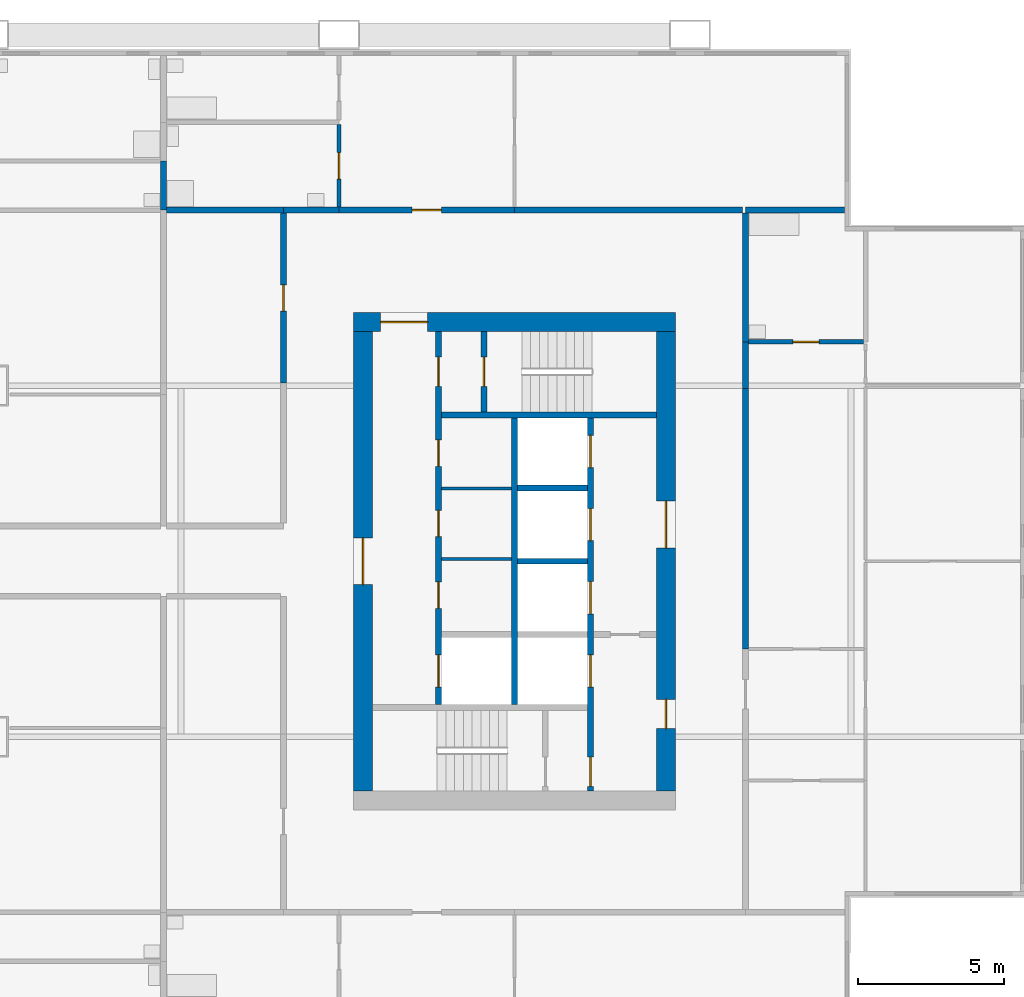
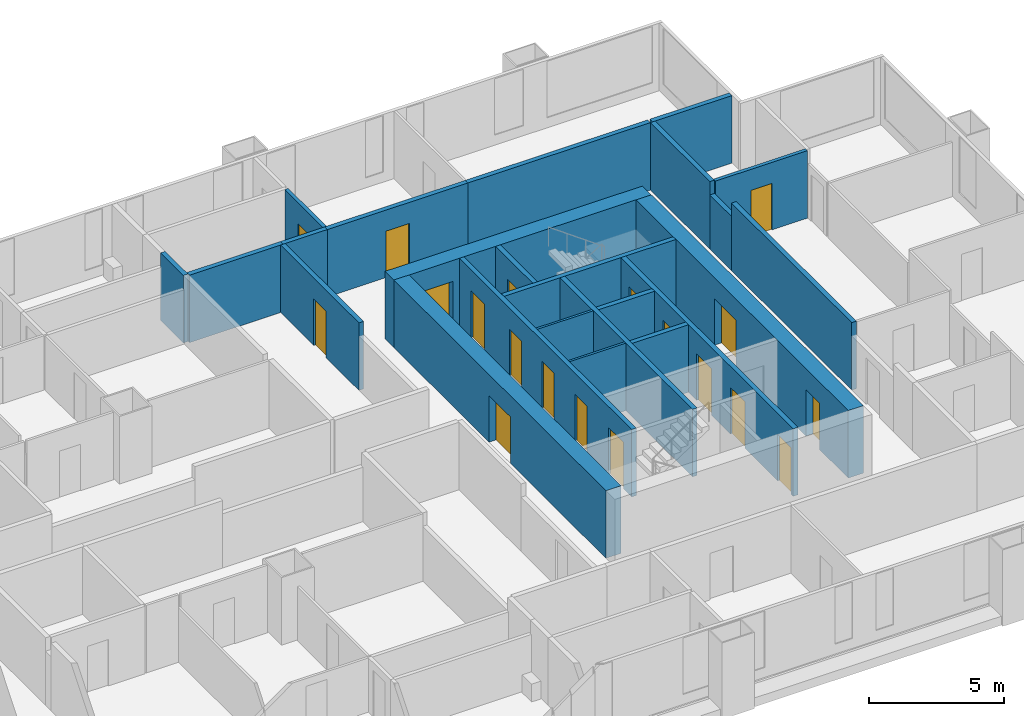
# One storey, part 7 of 11: 24 walls, 19 doors, 19 openings.
"""IFC4 building model written with IfcOpenShell, lengths in metres."""

from ifc_helpers import new_model, si_unit, direction, frame, frame_2d, origin, place, context, subcontext, project, spatial, rectangle, extrude, material, layer, layer_set, type_object, element, fill, save


model = new_model("IFC4")

# Units and contexts
model_context = context("Model", 3, precision=1e-05, world=origin(), true_north=direction((0.0, 1.0)))
body_context = subcontext(model_context, "Body", "Model", "MODEL_VIEW")
ifc_project = project(units=[si_unit("LENGTHUNIT", "METRE"), si_unit("AREAUNIT", "SQUARE_METRE"), si_unit("VOLUMEUNIT", "CUBIC_METRE"), si_unit("PLANEANGLEUNIT", "RADIAN"), si_unit("MASSUNIT", "GRAM", prefix="KILO")], contexts=[model_context])

# Site, building, storey
site_placement = place(None, origin())
site = spatial("IfcSite", under=ifc_project, at=site_placement, CompositionType="ELEMENT")
building_placement = place(site_placement, origin())
building = spatial("IfcBuilding", under=site, at=building_placement, Name="Kitamizu Gate Tower and Museum", CompositionType="ELEMENT")
storey_placement = place(building_placement, frame((0.0, 0.0, 124.199951171875)))
storey = spatial("IfcBuildingStorey", under=building, at=storey_placement, Name="L32", CompositionType="ELEMENT", Elevation=124.199951171875)

# Wall, opening, door
ifc_material_1 = material(Name="Concrete Fc60", Category="concrete")
ifc_layer_1 = layer(ifc_material_1, 0.64990234375)
ifc_layer_set_1 = layer_set([ifc_layer_1], Name="Concrete Fc60")
wall_type_1 = type_object("IfcWallType", Name="Core wall 650", PredefinedType="SHEAR", material=ifc_layer_set_1)
wall_1_placement = place(storey_placement, frame((59.5, 38.175048828125, 0.0), z_axis=(0.0, 0.0, 1.0), x_axis=(-1.0, 0.0, 0.0)))
wall_1 = element("IfcWall", 1, at=wall_1_placement, inside=storey, type_object=wall_type_1, Name="Core wall EN", PredefinedType="SHEAR", context=body_context, shape_type="SweptSolid", body=[
    extrude(rectangle(XDim=11.0, YDim=0.64990234375, at=frame_2d((5.5, 0.0))), origin(), (0.0, 0.0, 1.0), 3.050048828125),
])
opening_1_placement = place(wall_1_placement, frame((8.47509765625, 0.0, 0.0)))
opening_1 = element("IfcOpeningElement", 2, at=opening_1_placement, cuts=wall_1, Name="Opening L32-067", PredefinedType="OPENING", context=body_context, shape_type="SweptSolid", body=[
    extrude(rectangle(XDim=1.60009765625, YDim=2.10009765625, at=frame_2d((0.800048828125, 1.050048828125))), frame((0.0, 0.3349609375, 0.0), z_axis=(0.0, -1.0, 0.0), x_axis=(1.0, 0.0, 0.0)), (0.0, 0.0, 1.0), 0.669921875),
])
ifc_material_2 = material(Name="Timber door set", Category="wood")
door_type_1 = type_object("IfcDoorType", Name="Entrance door 1600", OperationType="DOUBLE_DOOR_SINGLE_SWING", PredefinedType="DOOR", material=ifc_material_2)
door_1_placement = place(opening_1_placement, origin())
door_1 = element("IfcDoor", 3, at=door_1_placement, inside=storey, type_object=door_type_1, Name="Lobby door L32-067", OperationType="DOUBLE_DOOR_SINGLE_SWING", OverallHeight=2.10009765625, OverallWidth=1.60009765625, PredefinedType="DOOR", context=body_context, shape_type="SweptSolid", body=[
    extrude(rectangle(XDim=1.60009765625, YDim=2.10009765625, at=frame_2d((0.800048828125, 1.050048828125))), frame((0.0, 0.02490234375, 0.0), z_axis=(0.0, -1.0, 0.0), x_axis=(1.0, 0.0, 0.0)), (0.0, 0.0, 1.0), 0.050048828125),
])
fill(opening_1, door_1)

# Wall, openings, doors
wall_2_placement = place(storey_placement, frame((59.175048828125, 22.14990234375, 0.0), z_axis=(0.0, 0.0, 1.0), x_axis=(0.0, 1.0, 0.0)))
wall_2 = element("IfcWall", 4, at=wall_2_placement, inside=storey, type_object=wall_type_1, Name="Core wall EOUT", PredefinedType="SHEAR", context=body_context, shape_type="SweptSolid", body=[
    extrude(rectangle(XDim=15.7001953125, YDim=0.64990234375, at=frame_2d((7.85009765625, 0.0))), origin(), (0.0, 0.0, 1.0), 3.050048828125),
])
opening_2_placement = place(wall_2_placement, frame((8.300048828125, 0.0, 0.0)))
opening_2 = element("IfcOpeningElement", 5, at=opening_2_placement, cuts=wall_2, Name="Opening L32-065", PredefinedType="OPENING", context=body_context, shape_type="SweptSolid", body=[
    extrude(rectangle(XDim=1.60009765625, YDim=2.10009765625, at=frame_2d((0.800048828125, 1.050048828125))), frame((0.0, 0.3349609375, 0.0), z_axis=(0.0, -1.0, 0.0), x_axis=(1.0, 0.0, 0.0)), (0.0, 0.0, 1.0), 0.669921875),
])
opening_3_placement = place(wall_2_placement, frame((2.125, 0.0, 0.0)))
opening_3 = element("IfcOpeningElement", 6, at=opening_3_placement, cuts=wall_2, Name="Opening L32-066", PredefinedType="OPENING", context=body_context, shape_type="SweptSolid", body=[
    extrude(rectangle(XDim=1.0, YDim=2.10009765625, at=frame_2d((0.5, 1.050048828125))), frame((0.0, 0.3349609375, 0.0), z_axis=(0.0, -1.0, 0.0), x_axis=(1.0, 0.0, 0.0)), (0.0, 0.0, 1.0), 0.669921875),
])
door_2_placement = place(opening_2_placement, origin())
door_2 = element("IfcDoor", 7, at=door_2_placement, inside=storey, type_object=door_type_1, Name="Lobby door L32-065", OperationType="DOUBLE_DOOR_SINGLE_SWING", OverallHeight=2.10009765625, OverallWidth=1.60009765625, PredefinedType="DOOR", context=body_context, shape_type="SweptSolid", body=[
    extrude(rectangle(XDim=1.60009765625, YDim=2.10009765625, at=frame_2d((0.800048828125, 1.050048828125))), frame((0.0, 0.02490234375, 0.0), z_axis=(0.0, -1.0, 0.0), x_axis=(1.0, 0.0, 0.0)), (0.0, 0.0, 1.0), 0.050048828125),
])
fill(opening_2, door_2)
ifc_material_3 = material(Name="Hollow metal door set")
door_type_2 = type_object("IfcDoorType", Name="Fire door 1000", OperationType="NOTDEFINED", PredefinedType="DOOR", material=ifc_material_3)
door_3_placement = place(opening_3_placement, origin())
door_3 = element("IfcDoor", 8, at=door_3_placement, inside=storey, type_object=door_type_2, Name="Fire-fighting lobby door L32-066", OperationType="SINGLE_SWING_LEFT", OverallHeight=2.10009765625, OverallWidth=1.0, PredefinedType="DOOR", context=body_context, shape_type="SweptSolid", body=[
    extrude(rectangle(XDim=1.0, YDim=2.10009765625, at=frame_2d((0.5, 1.050048828125))), frame((0.0, 0.02490234375, 0.0), z_axis=(0.0, -1.0, 0.0), x_axis=(1.0, 0.0, 0.0)), (0.0, 0.0, 1.0), 0.050048828125),
])
fill(opening_3, door_3)

# Wall, opening, door
wall_3_placement = place(storey_placement, frame((48.824951171875, 22.14990234375, 0.0), z_axis=(0.0, 0.0, 1.0), x_axis=(0.0, 1.0, 0.0)))
wall_3 = element("IfcWall", 9, at=wall_3_placement, inside=storey, type_object=wall_type_1, Name="Core wall EARC", PredefinedType="SHEAR", context=body_context, shape_type="SweptSolid", body=[
    extrude(rectangle(XDim=15.7001953125, YDim=0.64990234375, at=frame_2d((7.85009765625, 0.0))), origin(), (0.0, 0.0, 1.0), 3.050048828125),
])
opening_4_placement = place(wall_3_placement, frame((7.050048828125, 0.0, 0.0)))
opening_4 = element("IfcOpeningElement", 10, at=opening_4_placement, cuts=wall_3, Name="Opening L32-068", PredefinedType="OPENING", context=body_context, shape_type="SweptSolid", body=[
    extrude(rectangle(XDim=1.60009765625, YDim=2.10009765625, at=frame_2d((0.800048828125, 1.050048828125))), frame((0.0, 0.3349609375, 0.0), z_axis=(0.0, -1.0, 0.0), x_axis=(1.0, 0.0, 0.0)), (0.0, 0.0, 1.0), 0.669921875),
])
door_4_placement = place(opening_4_placement, origin())
door_4 = element("IfcDoor", 11, at=door_4_placement, inside=storey, type_object=door_type_1, Name="Lobby door L32-068", OperationType="DOUBLE_DOOR_SINGLE_SWING", OverallHeight=2.10009765625, OverallWidth=1.60009765625, PredefinedType="DOOR", context=body_context, shape_type="SweptSolid", body=[
    extrude(rectangle(XDim=1.60009765625, YDim=2.10009765625, at=frame_2d((0.800048828125, 1.050048828125))), frame((0.0, 0.02490234375, 0.0), z_axis=(0.0, -1.0, 0.0), x_axis=(1.0, 0.0, 0.0)), (0.0, 0.0, 1.0), 0.050048828125),
])
fill(opening_4, door_4)

# Walls
ifc_material_4 = material(Name="Gypsum board on galvanised stud")
ifc_layer_2 = layer(ifc_material_4, 0.10009765625)
ifc_layer_set_2 = layer_set([ifc_layer_2], Name="Gypsum board on galvanised stud")
wall_type_2 = type_object("IfcWallType", Name="Partition 100", PredefinedType="PARTITIONING", material=ifc_layer_set_2)
for number, where, z_axis, x_axis, name in (
    (12, (53.89990234375, 30.08203125, 0.0), (0.0, 0.0, 1.0), (-1.0, 0.0, 0.0), "Partition EPF1"),
    (13, (53.89990234375, 32.490966796875, 0.0), (0.0, 0.0, 1.0), (-1.0, 0.0, 0.0), "Partition EPF2"),
):
    element("IfcWall", number, at=place(storey_placement, frame(where, z_axis=z_axis, x_axis=x_axis)), inside=storey, type_object=wall_type_2, Name=name, PredefinedType="PARTITIONING", context=body_context, shape_type="SweptSolid", body=[
        extrude(rectangle(XDim=2.39990234375, YDim=0.10009765625, at=frame_2d((1.199951171875, 0.0))), origin(), (0.0, 0.0, 1.0), 3.050048828125),
    ])

# Wall, opening, door
ifc_material_5 = material(Name="Gypsum board on galvanised stud")
ifc_layer_3 = layer(ifc_material_5, 0.14990234375)
ifc_layer_set_3 = layer_set([ifc_layer_3], Name="Gypsum board on galvanised stud")
wall_type_3 = type_object("IfcWallType", Name="Partition 150", PredefinedType="PARTITIONING", material=ifc_layer_set_3)
wall_4_placement = place(storey_placement, frame((65.925048828125, 37.5, 0.0), z_axis=(0.0, 0.0, 1.0), x_axis=(-1.0, 0.0, 0.0)))
wall_4 = element("IfcWall", 14, at=wall_4_placement, inside=storey, type_object=wall_type_3, Name="Partition L32-112", PredefinedType="PARTITIONING", context=body_context, shape_type="SweptSolid", body=[
    extrude(rectangle(XDim=3.925048828125, YDim=0.14990234375, at=frame_2d((1.96240234375, 0.0))), origin(), (0.0, 0.0, 1.0), 3.050048828125),
])
opening_5_placement = place(wall_4_placement, frame((1.512451171875, 0.0, 0.0)))
opening_5 = element("IfcOpeningElement", 15, at=opening_5_placement, cuts=wall_4, Name="Opening L32-041", PredefinedType="OPENING", context=body_context, shape_type="SweptSolid", body=[
    extrude(rectangle(XDim=0.89990234375, YDim=2.10009765625, at=frame_2d((0.449951171875, 1.050048828125))), frame((0.0, 0.0849609375, 0.0), z_axis=(0.0, -1.0, 0.0), x_axis=(1.0, 0.0, 0.0)), (0.0, 0.0, 1.0), 0.169921875),
])
ifc_material_6 = material(Name="Timber door set", Category="wood")
door_type_3 = type_object("IfcDoorType", Name="Bathroom door 900", OperationType="NOTDEFINED", PredefinedType="DOOR", material=ifc_material_6)
door_5_placement = place(opening_5_placement, frame((0.89990234375, 0.0, 0.0), x_axis=(-1.0, 0.0, 0.0)))
door_5 = element("IfcDoor", 16, at=door_5_placement, inside=storey, type_object=door_type_3, Name="Bathroom door L32-041", OperationType="SINGLE_SWING_LEFT", OverallHeight=2.10009765625, OverallWidth=0.89990234375, PredefinedType="DOOR", context=body_context, shape_type="SweptSolid", body=[
    extrude(rectangle(XDim=0.89990234375, YDim=2.10009765625, at=frame_2d((0.449951171875, 1.050048828125))), frame((0.0, 0.02490234375, 0.0), z_axis=(0.0, -1.0, 0.0), x_axis=(1.0, 0.0, 0.0)), (0.0, 0.0, 1.0), 0.050048828125),
])
fill(opening_5, door_5)

wall_5_placement = place(storey_placement, frame((48.0, 42.10009765625, 0.0), z_axis=(0.0, 0.0, 1.0), x_axis=(0.0, 1.0, 0.0)))
wall_5 = element("IfcWall", 17, at=wall_5_placement, inside=storey, type_object=wall_type_3, Name="Partition L32-118", PredefinedType="PARTITIONING", context=body_context, shape_type="SweptSolid", body=[
    extrude(rectangle(XDim=2.824951171875, YDim=0.14990234375, at=frame_2d((1.41259765625, 0.0))), origin(), (0.0, 0.0, 1.0), 3.050048828125),
])
opening_6_placement = place(wall_5_placement, frame((0.96240234375, 0.0, 0.0)))
opening_6 = element("IfcOpeningElement", 18, at=opening_6_placement, cuts=wall_5, Name="Opening L32-044", PredefinedType="OPENING", context=body_context, shape_type="SweptSolid", body=[
    extrude(rectangle(XDim=0.89990234375, YDim=2.10009765625, at=frame_2d((0.449951171875, 1.050048828125))), frame((0.0, 0.0849609375, 0.0), z_axis=(0.0, -1.0, 0.0), x_axis=(1.0, 0.0, 0.0)), (0.0, 0.0, 1.0), 0.169921875),
])
door_6_placement = place(opening_6_placement, origin())
door_6 = element("IfcDoor", 19, at=door_6_placement, inside=storey, type_object=door_type_3, Name="Bathroom door L32-044", OperationType="SINGLE_SWING_LEFT", OverallHeight=2.10009765625, OverallWidth=0.89990234375, PredefinedType="DOOR", context=body_context, shape_type="SweptSolid", body=[
    extrude(rectangle(XDim=0.89990234375, YDim=2.10009765625, at=frame_2d((0.449951171875, 1.050048828125))), frame((0.0, 0.02490234375, 0.0), z_axis=(0.0, -1.0, 0.0), x_axis=(1.0, 0.0, 0.0)), (0.0, 0.0, 1.0), 0.050048828125),
])
fill(opening_6, door_6)

# Walls
ifc_material_7 = material(Name="Gypsum board on galvanised stud")
ifc_layer_4 = layer(ifc_material_7, 0.199951171875)
ifc_layer_set_4 = layer_set([ifc_layer_4], Name="Gypsum board on galvanised stud")
wall_type_4 = type_object("IfcWallType", Name="Partition 200", PredefinedType="PARTITIONING", material=ifc_layer_set_4)
wall_6_placement = place(storey_placement, frame((42.0, 42.0, 0.0), z_axis=(0.0, 0.0, 1.0), x_axis=(0.0, 1.0, 0.0)))
element("IfcWall", 20, at=wall_6_placement, inside=storey, type_object=wall_type_4, Name="Partition L32-069", PredefinedType="PARTITIONING", context=body_context, shape_type="SweptSolid", body=[
    extrude(rectangle(XDim=1.679931640625, YDim=0.199951171875, at=frame_2d((0.83984375, 0.0))), origin(), (0.0, 0.0, 1.0), 3.050048828125),
])
wall_7_placement = place(storey_placement, frame((61.89990234375, 37.5, 0.0), z_axis=(0.0, 0.0, 1.0), x_axis=(0.0, -1.0, 0.0)))
element("IfcWall", 21, at=wall_7_placement, inside=storey, type_object=wall_type_4, Name="Partition L32-113", PredefinedType="PARTITIONING", context=body_context, shape_type="SweptSolid", body=[
    extrude(rectangle(XDim=1.60009765625, YDim=0.199951171875, at=frame_2d((0.800048828125, 0.0))), origin(), (0.0, 0.0, 1.0), 2.449951171875),
])
wall_8_placement = place(storey_placement, frame((61.89990234375, 35.89990234375, 0.0), z_axis=(0.0, 0.0, 1.0), x_axis=(0.0, -1.0, 0.0)))
element("IfcWall", 22, at=wall_8_placement, inside=storey, type_object=wall_type_4, Name="Partition L32-114", PredefinedType="PARTITIONING", context=body_context, shape_type="SweptSolid", body=[
    extrude(rectangle(XDim=8.89990234375, YDim=0.199951171875, at=frame_2d((4.449951171875, 0.0))), origin(), (0.0, 0.0, 1.0), 3.050048828125),
])
wall_9_placement = place(storey_placement, frame((65.280029296875, 42.0, 0.0), z_axis=(0.0, 0.0, 1.0), x_axis=(-1.0, 0.0, 0.0)))
element("IfcWall", 23, at=wall_9_placement, inside=storey, type_object=wall_type_4, Name="Partition L32-115", PredefinedType="PARTITIONING", context=body_context, shape_type="SweptSolid", body=[
    extrude(rectangle(XDim=3.380126953125, YDim=0.199951171875, at=frame_2d((1.68994140625, 0.0))), origin(), (0.0, 0.0, 1.0), 3.050048828125),
])
wall_10_placement = place(storey_placement, frame((61.89990234375, 41.89990234375, 0.0), z_axis=(0.0, 0.0, 1.0), x_axis=(0.0, -1.0, 0.0)))
element("IfcWall", 24, at=wall_10_placement, inside=storey, type_object=wall_type_4, Name="Partition L32-116", PredefinedType="PARTITIONING", context=body_context, shape_type="SweptSolid", body=[
    extrude(rectangle(XDim=4.39990234375, YDim=0.199951171875, at=frame_2d((2.199951171875, 0.0))), origin(), (0.0, 0.0, 1.0), 3.050048828125),
])
wall_11_placement = place(storey_placement, frame((42.10009765625, 42.0, 0.0), z_axis=(0.0, 0.0, 1.0), x_axis=(1.0, 0.0, 0.0)))
element("IfcWall", 25, at=wall_11_placement, inside=storey, type_object=wall_type_4, Name="Partition L32-119", PredefinedType="PARTITIONING", context=body_context, shape_type="SweptSolid", body=[
    extrude(rectangle(XDim=4.0, YDim=0.199951171875, at=frame_2d((2.0, 0.0))), origin(), (0.0, 0.0, 1.0), 3.050048828125),
])
wall_12_placement = place(storey_placement, frame((46.10009765625, 42.0, 0.0), z_axis=(0.0, 0.0, 1.0), x_axis=(1.0, 0.0, 0.0)))
element("IfcWall", 26, at=wall_12_placement, inside=storey, type_object=wall_type_4, Name="Partition L32-120", PredefinedType="PARTITIONING", context=body_context, shape_type="SweptSolid", body=[
    extrude(rectangle(XDim=1.89990234375, YDim=0.199951171875, at=frame_2d((0.949951171875, 0.0))), origin(), (0.0, 0.0, 1.0), 3.050048828125),
])

# Wall, opening, door
wall_13_placement = place(storey_placement, frame((48.0, 42.0, 0.0), z_axis=(0.0, 0.0, 1.0), x_axis=(1.0, 0.0, 0.0)))
wall_13 = element("IfcWall", 27, at=wall_13_placement, inside=storey, type_object=wall_type_4, Name="Partition L32-123", PredefinedType="PARTITIONING", context=body_context, shape_type="SweptSolid", body=[
    extrude(rectangle(XDim=6.0, YDim=0.199951171875, at=frame_2d((3.0, 0.0))), origin(), (0.0, 0.0, 1.0), 3.050048828125),
])
opening_7_placement = place(wall_13_placement, frame((2.5, 0.0, 0.0)))
opening_7 = element("IfcOpeningElement", 28, at=opening_7_placement, cuts=wall_13, Name="Opening L32-042", PredefinedType="OPENING", context=body_context, shape_type="SweptSolid", body=[
    extrude(rectangle(XDim=1.0, YDim=2.10009765625, at=frame_2d((0.5, 1.050048828125))), frame((0.0, 0.10986328125, 0.0), z_axis=(0.0, -1.0, 0.0), x_axis=(1.0, 0.0, 0.0)), (0.0, 0.0, 1.0), 0.219970703125),
])
ifc_material_8 = material(Name="Timber door set", Category="wood")
door_type_4 = type_object("IfcDoorType", Name="Flat entrance door 1000", OperationType="NOTDEFINED", PredefinedType="DOOR", material=ifc_material_8)
door_7_placement = place(opening_7_placement, origin())
door_7 = element("IfcDoor", 29, at=door_7_placement, inside=storey, type_object=door_type_4, Name="Flat entrance door L32-042", OperationType="SINGLE_SWING_LEFT", OverallHeight=2.10009765625, OverallWidth=1.0, PredefinedType="DOOR", context=body_context, shape_type="SweptSolid", body=[
    extrude(rectangle(XDim=1.0, YDim=2.10009765625, at=frame_2d((0.5, 1.050048828125))), frame((0.0, 0.02490234375, 0.0), z_axis=(0.0, -1.0, 0.0), x_axis=(1.0, 0.0, 0.0)), (0.0, 0.0, 1.0), 0.050048828125),
])
fill(opening_7, door_7)

# Wall
wall_14_placement = place(storey_placement, frame((54.0, 42.0, 0.0), z_axis=(0.0, 0.0, 1.0), x_axis=(1.0, 0.0, 0.0)))
element("IfcWall", 30, at=wall_14_placement, inside=storey, type_object=wall_type_4, Name="Partition L32-124", PredefinedType="PARTITIONING", context=body_context, shape_type="SweptSolid", body=[
    extrude(rectangle(XDim=7.800048828125, YDim=0.199951171875, at=frame_2d((3.89990234375, 0.0))), origin(), (0.0, 0.0, 1.0), 3.050048828125),
])

# Wall, opening, door
wall_15_placement = place(storey_placement, frame((46.10009765625, 36.10009765625, 0.0), z_axis=(0.0, 0.0, 1.0), x_axis=(0.0, 1.0, 0.0)))
wall_15 = element("IfcWall", 31, at=wall_15_placement, inside=storey, type_object=wall_type_4, Name="Partition L32-127", PredefinedType="PARTITIONING", context=body_context, shape_type="SweptSolid", body=[
    extrude(rectangle(XDim=5.7998046875, YDim=0.199951171875, at=frame_2d((2.89990234375, 0.0))), origin(), (0.0, 0.0, 1.0), 3.050048828125),
])
opening_8_placement = place(wall_15_placement, frame((2.449951171875, 0.0, 0.0)))
opening_8 = element("IfcOpeningElement", 32, at=opening_8_placement, cuts=wall_15, Name="Opening L32-047", PredefinedType="OPENING", context=body_context, shape_type="SweptSolid", body=[
    extrude(rectangle(XDim=0.89990234375, YDim=2.10009765625, at=frame_2d((0.449951171875, 1.050048828125))), frame((0.0, 0.10986328125, 0.0), z_axis=(0.0, -1.0, 0.0), x_axis=(1.0, 0.0, 0.0)), (0.0, 0.0, 1.0), 0.219970703125),
])
ifc_material_9 = material(Name="Timber door set", Category="wood")
door_type_5 = type_object("IfcDoorType", Name="Room door 900", OperationType="NOTDEFINED", PredefinedType="DOOR", material=ifc_material_9)
door_8_placement = place(opening_8_placement, origin())
door_8 = element("IfcDoor", 33, at=door_8_placement, inside=storey, type_object=door_type_5, Name="Door L32-047", OperationType="SINGLE_SWING_RIGHT", OverallHeight=2.10009765625, OverallWidth=0.89990234375, PredefinedType="DOOR", context=body_context, shape_type="SweptSolid", body=[
    extrude(rectangle(XDim=0.89990234375, YDim=2.10009765625, at=frame_2d((0.449951171875, 1.050048828125))), frame((0.0, 0.02490234375, 0.0), z_axis=(0.0, -1.0, 0.0), x_axis=(1.0, 0.0, 0.0)), (0.0, 0.0, 1.0), 0.050048828125),
])
fill(opening_8, door_8)

# Wall, openings, doors
ifc_material_10 = material(Name="Concrete Fc42", Category="concrete")
ifc_layer_5 = layer(ifc_material_10, 0.199951171875)
ifc_layer_set_5 = layer_set([ifc_layer_5], Name="Concrete Fc42")
wall_type_5 = type_object("IfcWallType", Name="Shaft wall 200", PredefinedType="SOLIDWALL", material=ifc_layer_set_5)
wall_16_placement = place(storey_placement, frame((56.60009765625, 22.14990234375, 0.0), z_axis=(0.0, 0.0, 1.0), x_axis=(0.0, 1.0, 0.0)))
wall_16 = element("IfcWall", 34, at=wall_16_placement, inside=storey, type_object=wall_type_5, Name="Shaft wall EWEST", PredefinedType="SOLIDWALL", context=body_context, shape_type="SweptSolid", body=[
    extrude(rectangle(XDim=12.75, YDim=0.199951171875, at=frame_2d((6.375, 0.0))), origin(), (0.0, 0.0, 1.0), 3.050048828125),
])
opening_9_placement = place(wall_16_placement, frame((3.550048828125, 0.0, 0.0)))
opening_9 = element("IfcOpeningElement", 35, at=opening_9_placement, cuts=wall_16, Name="Opening LD", PredefinedType="OPENING", context=body_context, shape_type="SweptSolid", body=[
    extrude(rectangle(XDim=1.10009765625, YDim=2.10009765625, at=frame_2d((0.550048828125, 1.050048828125))), frame((0.0, 0.10986328125, 0.0), z_axis=(0.0, -1.0, 0.0), x_axis=(1.0, 0.0, 0.0)), (0.0, 0.0, 1.0), 0.219970703125),
])
opening_10_placement = place(wall_16_placement, frame((6.050048828125, 0.0, 0.0)))
opening_10 = element("IfcOpeningElement", 36, at=opening_10_placement, cuts=wall_16, Name="Opening LD", PredefinedType="OPENING", context=body_context, shape_type="SweptSolid", body=[
    extrude(rectangle(XDim=1.10009765625, YDim=2.10009765625, at=frame_2d((0.550048828125, 1.050048828125))), frame((0.0, 0.10986328125, 0.0), z_axis=(0.0, -1.0, 0.0), x_axis=(1.0, 0.0, 0.0)), (0.0, 0.0, 1.0), 0.219970703125),
])
opening_11_placement = place(wall_16_placement, frame((8.550048828125, 0.0, 0.0)))
opening_11 = element("IfcOpeningElement", 37, at=opening_11_placement, cuts=wall_16, Name="Opening LD", PredefinedType="OPENING", context=body_context, shape_type="SweptSolid", body=[
    extrude(rectangle(XDim=1.10009765625, YDim=2.10009765625, at=frame_2d((0.550048828125, 1.050048828125))), frame((0.0, 0.10986328125, 0.0), z_axis=(0.0, -1.0, 0.0), x_axis=(1.0, 0.0, 0.0)), (0.0, 0.0, 1.0), 0.219970703125),
])
opening_12_placement = place(wall_16_placement, frame((11.050048828125, 0.0, 0.0)))
opening_12 = element("IfcOpeningElement", 38, at=opening_12_placement, cuts=wall_16, Name="Opening LD", PredefinedType="OPENING", context=body_context, shape_type="SweptSolid", body=[
    extrude(rectangle(XDim=1.10009765625, YDim=2.10009765625, at=frame_2d((0.550048828125, 1.050048828125))), frame((0.0, 0.10986328125, 0.0), z_axis=(0.0, -1.0, 0.0), x_axis=(1.0, 0.0, 0.0)), (0.0, 0.0, 1.0), 0.219970703125),
])
opening_13_placement = place(wall_16_placement, frame((0.14990234375, 0.0, 0.0)))
opening_13 = element("IfcOpeningElement", 39, at=opening_13_placement, cuts=wall_16, Name="Opening L32-061", PredefinedType="OPENING", context=body_context, shape_type="SweptSolid", body=[
    extrude(rectangle(XDim=1.0, YDim=2.10009765625, at=frame_2d((0.5, 1.050048828125))), frame((0.0, 0.10986328125, 0.0), z_axis=(0.0, -1.0, 0.0), x_axis=(1.0, 0.0, 0.0)), (0.0, 0.0, 1.0), 0.219970703125),
])
door_9_placement = place(opening_13_placement, origin())
door_9 = element("IfcDoor", 40, at=door_9_placement, inside=storey, type_object=door_type_2, Name="Stair lobby door L32-061", OperationType="SINGLE_SWING_RIGHT", OverallHeight=2.10009765625, OverallWidth=1.0, PredefinedType="DOOR", context=body_context, shape_type="SweptSolid", body=[
    extrude(rectangle(XDim=1.0, YDim=2.10009765625, at=frame_2d((0.5, 1.050048828125))), frame((0.0, 0.02490234375, 0.0), z_axis=(0.0, -1.0, 0.0), x_axis=(1.0, 0.0, 0.0)), (0.0, 0.0, 1.0), 0.050048828125),
])
fill(opening_13, door_9)
ifc_material_11 = material(Name="Hollow metal door set")
door_type_6 = type_object("IfcDoorType", Name="Landing door 1100", OperationType="SLIDING_TO_LEFT", PredefinedType="DOOR", material=ifc_material_11)
door_10_placement = place(opening_9_placement, origin())
door_10 = element("IfcDoor", 41, at=door_10_placement, inside=storey, type_object=door_type_6, Name="Landing door EFF1", OperationType="SLIDING_TO_LEFT", OverallHeight=2.10009765625, OverallWidth=1.10009765625, PredefinedType="DOOR", context=body_context, shape_type="SweptSolid", body=[
    extrude(rectangle(XDim=1.10009765625, YDim=2.10009765625, at=frame_2d((0.550048828125, 1.050048828125))), frame((0.0, 0.02490234375, 0.0), z_axis=(0.0, -1.0, 0.0), x_axis=(1.0, 0.0, 0.0)), (0.0, 0.0, 1.0), 0.050048828125),
])
fill(opening_9, door_10)
door_11_placement = place(opening_10_placement, origin())
door_11 = element("IfcDoor", 42, at=door_11_placement, inside=storey, type_object=door_type_6, Name="Landing door EL1", OperationType="SLIDING_TO_LEFT", OverallHeight=2.10009765625, OverallWidth=1.10009765625, PredefinedType="DOOR", context=body_context, shape_type="SweptSolid", body=[
    extrude(rectangle(XDim=1.10009765625, YDim=2.10009765625, at=frame_2d((0.550048828125, 1.050048828125))), frame((0.0, 0.02490234375, 0.0), z_axis=(0.0, -1.0, 0.0), x_axis=(1.0, 0.0, 0.0)), (0.0, 0.0, 1.0), 0.050048828125),
])
fill(opening_10, door_11)
door_12_placement = place(opening_11_placement, origin())
door_12 = element("IfcDoor", 43, at=door_12_placement, inside=storey, type_object=door_type_6, Name="Landing door EL2", OperationType="SLIDING_TO_LEFT", OverallHeight=2.10009765625, OverallWidth=1.10009765625, PredefinedType="DOOR", context=body_context, shape_type="SweptSolid", body=[
    extrude(rectangle(XDim=1.10009765625, YDim=2.10009765625, at=frame_2d((0.550048828125, 1.050048828125))), frame((0.0, 0.02490234375, 0.0), z_axis=(0.0, -1.0, 0.0), x_axis=(1.0, 0.0, 0.0)), (0.0, 0.0, 1.0), 0.050048828125),
])
fill(opening_11, door_12)
door_13_placement = place(opening_12_placement, origin())
door_13 = element("IfcDoor", 44, at=door_13_placement, inside=storey, type_object=door_type_6, Name="Landing door EL3", OperationType="SLIDING_TO_LEFT", OverallHeight=2.10009765625, OverallWidth=1.10009765625, PredefinedType="DOOR", context=body_context, shape_type="SweptSolid", body=[
    extrude(rectangle(XDim=1.10009765625, YDim=2.10009765625, at=frame_2d((0.550048828125, 1.050048828125))), frame((0.0, 0.02490234375, 0.0), z_axis=(0.0, -1.0, 0.0), x_axis=(1.0, 0.0, 0.0)), (0.0, 0.0, 1.0), 0.050048828125),
])
fill(opening_12, door_13)

wall_17_placement = place(storey_placement, frame((51.39990234375, 25.10009765625, 0.0), z_axis=(0.0, 0.0, 1.0), x_axis=(0.0, 1.0, 0.0)))
wall_17 = element("IfcWall", 45, at=wall_17_placement, inside=storey, type_object=wall_type_5, Name="Shaft wall EEAST", PredefinedType="SOLIDWALL", context=body_context, shape_type="SweptSolid", body=[
    extrude(rectangle(XDim=12.75, YDim=0.199951171875, at=frame_2d((6.375, 0.0))), origin(), (0.0, 0.0, 1.0), 3.050048828125),
])
opening_14_placement = place(wall_17_placement, frame((0.60009765625, 0.0, 0.0)))
opening_14 = element("IfcOpeningElement", 46, at=opening_14_placement, cuts=wall_17, Name="Opening LD", PredefinedType="OPENING", context=body_context, shape_type="SweptSolid", body=[
    extrude(rectangle(XDim=1.10009765625, YDim=2.10009765625, at=frame_2d((0.550048828125, 1.050048828125))), frame((0.0, 0.10986328125, 0.0), z_axis=(0.0, -1.0, 0.0), x_axis=(1.0, 0.0, 0.0)), (0.0, 0.0, 1.0), 0.219970703125),
])
opening_15_placement = place(wall_17_placement, frame((10.875, 0.0, 0.0)))
opening_15 = element("IfcOpeningElement", 47, at=opening_15_placement, cuts=wall_17, Name="Opening L32-062", PredefinedType="OPENING", context=body_context, shape_type="SweptSolid", body=[
    extrude(rectangle(XDim=1.0, YDim=2.10009765625, at=frame_2d((0.5, 1.050048828125))), frame((0.0, 0.10986328125, 0.0), z_axis=(0.0, -1.0, 0.0), x_axis=(1.0, 0.0, 0.0)), (0.0, 0.0, 1.0), 0.219970703125),
])
opening_16_placement = place(wall_17_placement, frame((3.291015625, 0.0, 0.0)))
opening_16 = element("IfcOpeningElement", 48, at=opening_16_placement, cuts=wall_17, Name="Opening L32-069", PredefinedType="OPENING", context=body_context, shape_type="SweptSolid", body=[
    extrude(rectangle(XDim=0.89990234375, YDim=2.10009765625, at=frame_2d((0.449951171875, 1.050048828125))), frame((0.0, 0.10986328125, 0.0), z_axis=(0.0, -1.0, 0.0), x_axis=(1.0, 0.0, 0.0)), (0.0, 0.0, 1.0), 0.219970703125),
])
opening_17_placement = place(wall_17_placement, frame((5.736572265625, 0.0, 0.0)))
opening_17 = element("IfcOpeningElement", 49, at=opening_17_placement, cuts=wall_17, Name="Opening L32-070", PredefinedType="OPENING", context=body_context, shape_type="SweptSolid", body=[
    extrude(rectangle(XDim=0.89990234375, YDim=2.10009765625, at=frame_2d((0.449951171875, 1.050048828125))), frame((0.0, 0.10986328125, 0.0), z_axis=(0.0, -1.0, 0.0), x_axis=(1.0, 0.0, 0.0)), (0.0, 0.0, 1.0), 0.219970703125),
])
opening_18_placement = place(wall_17_placement, frame((8.1455078125, 0.0, 0.0)))
opening_18 = element("IfcOpeningElement", 50, at=opening_18_placement, cuts=wall_17, Name="Opening L32-071", PredefinedType="OPENING", context=body_context, shape_type="SweptSolid", body=[
    extrude(rectangle(XDim=0.89990234375, YDim=2.10009765625, at=frame_2d((0.449951171875, 1.050048828125))), frame((0.0, 0.10986328125, 0.0), z_axis=(0.0, -1.0, 0.0), x_axis=(1.0, 0.0, 0.0)), (0.0, 0.0, 1.0), 0.219970703125),
])
door_14_placement = place(opening_15_placement, frame((1.0, 0.0, 0.0), x_axis=(-1.0, 0.0, 0.0)))
door_14 = element("IfcDoor", 51, at=door_14_placement, inside=storey, type_object=door_type_2, Name="Stair lobby door L32-062", OperationType="SINGLE_SWING_LEFT", OverallHeight=2.10009765625, OverallWidth=1.0, PredefinedType="DOOR", context=body_context, shape_type="SweptSolid", body=[
    extrude(rectangle(XDim=1.0, YDim=2.10009765625, at=frame_2d((0.5, 1.050048828125))), frame((0.0, 0.02490234375, 0.0), z_axis=(0.0, -1.0, 0.0), x_axis=(1.0, 0.0, 0.0)), (0.0, 0.0, 1.0), 0.050048828125),
])
fill(opening_15, door_14)
door_15_placement = place(opening_14_placement, origin())
door_15 = element("IfcDoor", 52, at=door_15_placement, inside=storey, type_object=door_type_6, Name="Landing door ESV1", OperationType="SLIDING_TO_LEFT", OverallHeight=2.10009765625, OverallWidth=1.10009765625, PredefinedType="DOOR", context=body_context, shape_type="SweptSolid", body=[
    extrude(rectangle(XDim=1.10009765625, YDim=2.10009765625, at=frame_2d((0.550048828125, 1.050048828125))), frame((0.0, 0.02490234375, 0.0), z_axis=(0.0, -1.0, 0.0), x_axis=(1.0, 0.0, 0.0)), (0.0, 0.0, 1.0), 0.050048828125),
])
fill(opening_14, door_15)
ifc_material_12 = material(Name="Timber door set", Category="wood")
door_type_7 = type_object("IfcDoorType", Name="Service door 900", OperationType="NOTDEFINED", PredefinedType="DOOR", material=ifc_material_12)
door_16_placement = place(opening_16_placement, frame((0.89990234375, 0.0, 0.0), x_axis=(-1.0, 0.0, 0.0)))
door_16 = element("IfcDoor", 53, at=door_16_placement, inside=storey, type_object=door_type_7, Name="Service door L32-069", OperationType="SINGLE_SWING_LEFT", OverallHeight=2.10009765625, OverallWidth=0.89990234375, PredefinedType="DOOR", context=body_context, shape_type="SweptSolid", body=[
    extrude(rectangle(XDim=0.89990234375, YDim=2.10009765625, at=frame_2d((0.449951171875, 1.050048828125))), frame((0.0, 0.02490234375, 0.0), z_axis=(0.0, -1.0, 0.0), x_axis=(1.0, 0.0, 0.0)), (0.0, 0.0, 1.0), 0.050048828125),
])
fill(opening_16, door_16)
door_17_placement = place(opening_17_placement, frame((0.89990234375, 0.0, 0.0), x_axis=(-1.0, 0.0, 0.0)))
door_17 = element("IfcDoor", 54, at=door_17_placement, inside=storey, type_object=door_type_7, Name="Service door L32-070", OperationType="SINGLE_SWING_RIGHT", OverallHeight=2.10009765625, OverallWidth=0.89990234375, PredefinedType="DOOR", context=body_context, shape_type="SweptSolid", body=[
    extrude(rectangle(XDim=0.89990234375, YDim=2.10009765625, at=frame_2d((0.449951171875, 1.050048828125))), frame((0.0, 0.02490234375, 0.0), z_axis=(0.0, -1.0, 0.0), x_axis=(1.0, 0.0, 0.0)), (0.0, 0.0, 1.0), 0.050048828125),
])
fill(opening_17, door_17)
door_18_placement = place(opening_18_placement, frame((0.89990234375, 0.0, 0.0), x_axis=(-1.0, 0.0, 0.0)))
door_18 = element("IfcDoor", 55, at=door_18_placement, inside=storey, type_object=door_type_7, Name="Service door L32-071", OperationType="SINGLE_SWING_LEFT", OverallHeight=2.10009765625, OverallWidth=0.89990234375, PredefinedType="DOOR", context=body_context, shape_type="SweptSolid", body=[
    extrude(rectangle(XDim=0.89990234375, YDim=2.10009765625, at=frame_2d((0.449951171875, 1.050048828125))), frame((0.0, 0.02490234375, 0.0), z_axis=(0.0, -1.0, 0.0), x_axis=(1.0, 0.0, 0.0)), (0.0, 0.0, 1.0), 0.050048828125),
])
fill(opening_18, door_18)

# Walls
wall_18_placement = place(storey_placement, frame((54.0, 25.10009765625, 0.0), z_axis=(0.0, 0.0, 1.0), x_axis=(0.0, 1.0, 0.0)))
element("IfcWall", 56, at=wall_18_placement, inside=storey, type_object=wall_type_5, Name="Shaft wall EMID", PredefinedType="SOLIDWALL", context=body_context, shape_type="SweptSolid", body=[
    extrude(rectangle(XDim=9.7998046875, YDim=0.199951171875, at=frame_2d((4.89990234375, 0.0))), origin(), (0.0, 0.0, 1.0), 3.050048828125),
])
wall_19_placement = place(storey_placement, frame((58.85009765625, 35.0, 0.0), z_axis=(0.0, 0.0, 1.0), x_axis=(-1.0, 0.0, 0.0)))
element("IfcWall", 57, at=wall_19_placement, inside=storey, type_object=wall_type_5, Name="Shaft wall ENB", PredefinedType="SOLIDWALL", context=body_context, shape_type="SweptSolid", body=[
    extrude(rectangle(XDim=7.35009765625, YDim=0.199951171875, at=frame_2d((3.675048828125, 0.0))), origin(), (0.0, 0.0, 1.0), 3.050048828125),
])

# Wall, opening, door
wall_20_placement = place(storey_placement, frame((52.949951171875, 35.10009765625, 0.0), z_axis=(0.0, 0.0, 1.0), x_axis=(0.0, 1.0, 0.0)))
wall_20 = element("IfcWall", 58, at=wall_20_placement, inside=storey, type_object=wall_type_5, Name="Shaft wall ENZ", PredefinedType="SOLIDWALL", context=body_context, shape_type="SweptSolid", body=[
    extrude(rectangle(XDim=2.75, YDim=0.199951171875, at=frame_2d((1.375, 0.0))), origin(), (0.0, 0.0, 1.0), 3.050048828125),
])
opening_19_placement = place(wall_20_placement, frame((0.875, 0.0, 0.0)))
opening_19 = element("IfcOpeningElement", 59, at=opening_19_placement, cuts=wall_20, Name="Opening L32-063", PredefinedType="OPENING", context=body_context, shape_type="SweptSolid", body=[
    extrude(rectangle(XDim=1.0, YDim=2.10009765625, at=frame_2d((0.5, 1.050048828125))), frame((0.0, 0.10986328125, 0.0), z_axis=(0.0, -1.0, 0.0), x_axis=(1.0, 0.0, 0.0)), (0.0, 0.0, 1.0), 0.219970703125),
])
door_19_placement = place(opening_19_placement, frame((1.0, 0.0, 0.0), x_axis=(-1.0, 0.0, 0.0)))
door_19 = element("IfcDoor", 60, at=door_19_placement, inside=storey, type_object=door_type_2, Name="Stair door L32-063", OperationType="SINGLE_SWING_RIGHT", OverallHeight=2.10009765625, OverallWidth=1.0, PredefinedType="DOOR", context=body_context, shape_type="SweptSolid", body=[
    extrude(rectangle(XDim=1.0, YDim=2.10009765625, at=frame_2d((0.5, 1.050048828125))), frame((0.0, 0.02490234375, 0.0), z_axis=(0.0, -1.0, 0.0), x_axis=(1.0, 0.0, 0.0)), (0.0, 0.0, 1.0), 0.050048828125),
])
fill(opening_19, door_19)

# Walls
for number, where, z_axis, x_axis, name in (
    (61, (56.5, 30.0, 0.0), (0.0, 0.0, 1.0), (-1.0, 0.0, 0.0), "Shaft wall EDVW1"),
    (62, (56.5, 32.5, 0.0), (0.0, 0.0, 1.0), (-1.0, 0.0, 0.0), "Shaft wall EDVW2"),
):
    element("IfcWall", number, at=place(storey_placement, frame(where, z_axis=z_axis, x_axis=x_axis)), inside=storey, type_object=wall_type_5, Name=name, PredefinedType="SOLIDWALL", context=body_context, shape_type="SweptSolid", body=[
        extrude(rectangle(XDim=2.39990234375, YDim=0.199951171875, at=frame_2d((1.199951171875, 0.0))), origin(), (0.0, 0.0, 1.0), 3.050048828125),
    ])

save(model, "model.ifc")
